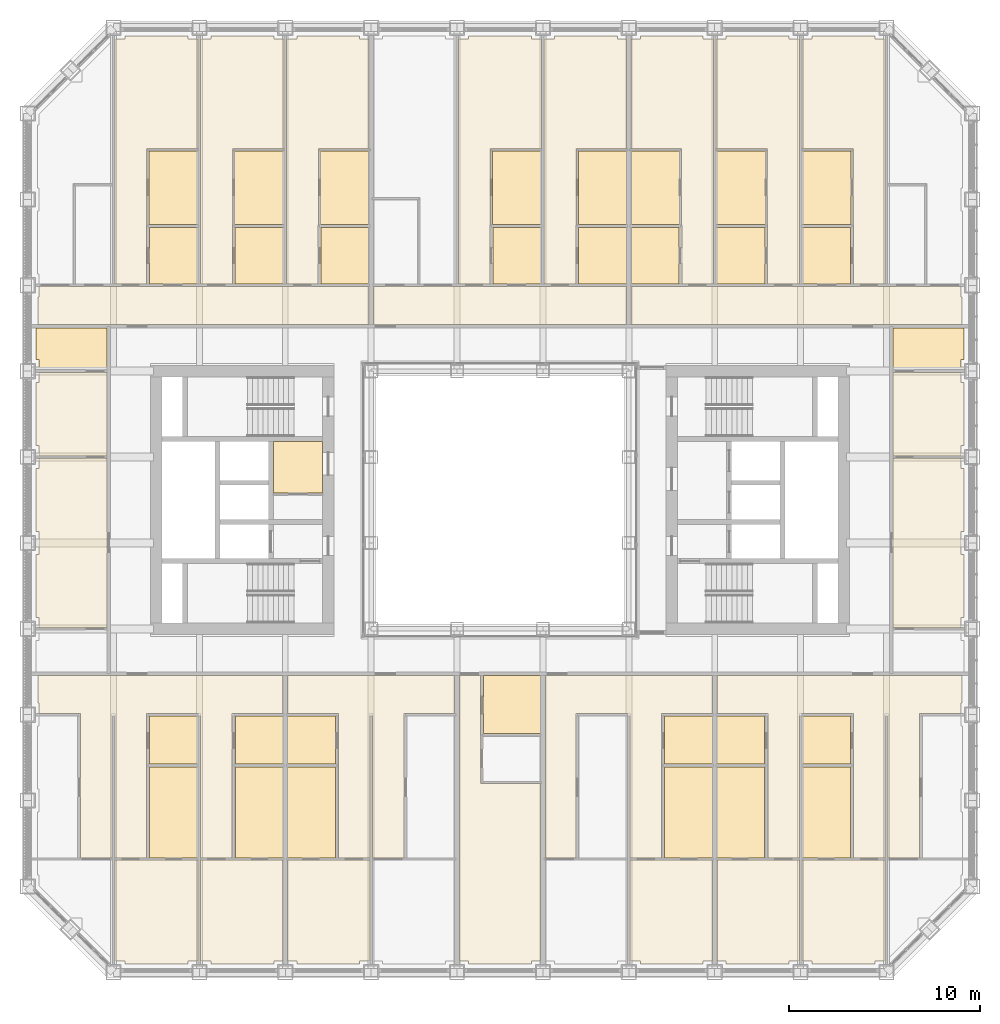
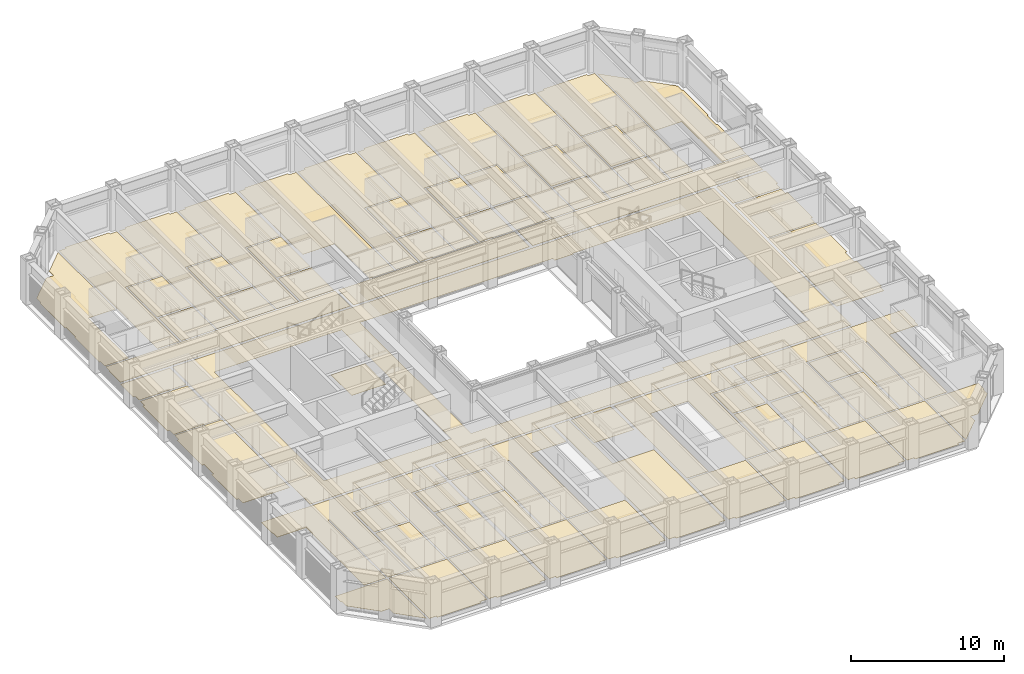
# One storey, part 19 of 21: 3 coverings.
"""IFC4 building model written with IfcOpenShell, lengths in metres."""

from ifc_helpers import new_model, si_unit, direction, frame, origin, place, context, subcontext, project, spatial, line, indexed_curve, outline, extrude, material, layer, layer_set, type_object, element, save


model = new_model("IFC4")

# Units and contexts
model_context = context("Model", 3, precision=1e-05, world=origin(), true_north=direction((0.0, 1.0)))
body_context = subcontext(model_context, "Body", "Model", "MODEL_VIEW")
ifc_project = project(units=[si_unit("LENGTHUNIT", "METRE"), si_unit("AREAUNIT", "SQUARE_METRE"), si_unit("VOLUMEUNIT", "CUBIC_METRE"), si_unit("PLANEANGLEUNIT", "RADIAN"), si_unit("MASSUNIT", "GRAM", prefix="KILO")], contexts=[model_context])

# Site, building, storey
site_placement = place(None, origin())
site = spatial("IfcSite", under=ifc_project, at=site_placement, CompositionType="ELEMENT")
building_placement = place(site_placement, origin())
building = spatial("IfcBuilding", under=site, at=building_placement, Name="Msasa Ring Tower", CompositionType="ELEMENT")
storey_placement = place(building_placement, frame((0.0, 0.0, 72.0)))
storey = spatial("IfcBuildingStorey", under=building, at=storey_placement, Name="L18", CompositionType="ELEMENT", Elevation=72.0)

# Coverings
ifc_material_1 = material(Name="Wool-blend carpet on felt underlay", Category="textile")
ifc_layer_1 = layer(ifc_material_1, 0.011962890625)
ifc_layer_set_1 = layer_set([ifc_layer_1], Name="F2 CARPET ON UNDERLAY 12")
covering_type_1 = type_object("IfcCoveringType", Name="F2 CARPET ON UNDERLAY 12", PredefinedType="FLOORING", material=ifc_layer_set_1)
covering_1_placement = place(storey_placement, origin())
element("IfcCovering", 1, at=covering_1_placement, inside=storey, type_object=covering_type_1, Name="Carpet On Underlay 12 L18", PredefinedType="FLOORING", context=body_context, shape_type="SweptSolid", body=[
    extrude(outline(indexed_curve([(-20.318115234375, -24.044921875), (-21.8994140625, -22.46337890625), (-21.8994140625, -21.8994140625), (-22.46337890625, -21.8994140625), (-24.1494140625, -20.21337890625), (-24.1494140625, -19.6494140625), (-24.23193359375, -19.6494140625), (-24.23193359375, -18.87548828125), (-20.318115234375, -18.87548828125)], segments=[line(1, 2, 3, 4, 5, 6, 7, 8, 9, 1)], self_intersect=False)), origin(), (0.0, 0.0, 1.0), 0.011962890625),
    extrude(outline(indexed_curve([(-22.46337890625, 21.8994140625), (-21.8994140625, 21.8994140625), (-21.8994140625, 22.46337890625), (-20.318115234375, 24.044921875), (-20.318115234375, 16.56298828125), (-22.3505859375, 16.56298828125), (-22.3505859375, 11.31298828125), (-24.1494140625, 11.31298828125), (-24.1494140625, 11.8505859375), (-24.23193359375, 11.8505859375), (-24.23193359375, 15.1494140625), (-24.1494140625, 15.1494140625), (-24.1494140625, 16.3505859375), (-24.23193359375, 16.3505859375), (-24.23193359375, 19.6494140625), (-24.1494140625, 19.6494140625), (-24.1494140625, 20.21337890625)], segments=[line(1, 2, 3, 4, 5, 6, 7, 8, 9, 10, 11, 12, 13, 14, 15, 16, 17, 1)], self_intersect=False)), origin(), (0.0, 0.0, 1.0), 0.011962890625),
    extrude(outline(indexed_curve([(-20.3994140625, -8.99951171875), (-20.3994140625, 8.99951171875), (20.3994140625, 8.99951171875), (20.3994140625, -8.99951171875)], segments=[line(1, 2, 3, 4, 1)], self_intersect=False), holes=[indexed_curve([(8.699462890625, -7.150390625), (18.300537109375, -7.150390625), (18.300537109375, 7.150390625), (8.699462890625, 7.150390625), (8.699462890625, 7.050537109375), (7.280029296875, 7.050537109375), (7.275390625, 7.275390625), (7.22998046875, 7.280029296875), (-7.275390625, 7.275390625), (-7.275390625, -7.275390625), (7.22998046875, -7.280029296875), (7.275390625, -7.275390625), (7.280029296875, -7.050537109375), (8.699462890625, -7.050537109375)], segments=[line(1, 2, 3, 4, 5, 6, 7, 8, 9, 10, 11, 12, 13, 14, 1)], self_intersect=False), indexed_curve([(-18.300537109375, 7.150390625), (-18.300537109375, -7.150390625), (-8.699462890625, -7.150390625), (-8.699462890625, 7.150390625)], segments=[line(1, 2, 3, 4, 1)], self_intersect=False)]), origin(), (0.0, 0.0, 1.0), 0.011962890625),
    extrude(outline(indexed_curve([(-18.3994140625, 14.430419921875), (-18.3994140625, 18.294921875), (-15.81298828125, 18.294921875), (-15.81298828125, 14.430419921875)], segments=[line(1, 2, 3, 4, 1)], self_intersect=False)), origin(), (0.0, 0.0, 1.0), 0.011962890625),
    extrude(outline(indexed_curve([(-15.818115234375, -13.992919921875), (-15.818115234375, -18.74951171875), (-18.369384765625, -18.74951171875), (-18.369384765625, -13.992919921875)], segments=[line(1, 2, 3, 4, 1)], self_intersect=False)), origin(), (0.0, 0.0, 1.0), 0.011962890625),
    extrude(outline(indexed_curve([(-11.31298828125, 18.297607421875), (-11.31298828125, 14.430419921875), (-13.8994140625, 14.430419921875), (-13.8994140625, 18.297607421875)], segments=[line(1, 2, 3, 4, 1)], self_intersect=False)), origin(), (0.0, 0.0, 1.0), 0.011962890625),
    extrude(outline(indexed_curve([(-13.869384765625, -13.992919921875), (-11.37548828125, -13.992919921875), (-11.37548828125, -18.74951171875), (-13.869384765625, -18.74951171875)], segments=[line(1, 2, 3, 4, 1)], self_intersect=False)), origin(), (0.0, 0.0, 1.0), 0.011962890625),
    extrude(outline(indexed_curve([(-9.300537109375, 0.35546875), (-11.87451171875, 0.35546875), (-11.87451171875, 3.074462890625), (-9.300537109375, 3.074462890625)], segments=[line(1, 2, 3, 4, 1)], self_intersect=False)), origin(), (0.0, 0.0, 1.0), 0.011962890625),
    extrude(outline(indexed_curve([(-8.630615234375, -18.74951171875), (-11.12451171875, -18.74951171875), (-11.12451171875, -13.992919921875), (-8.630615234375, -13.992919921875)], segments=[line(1, 2, 3, 4, 1)], self_intersect=False)), origin(), (0.0, 0.0, 1.0), 0.011962890625),
    extrude(outline(indexed_curve([(-9.3994140625, 14.430419921875), (-9.3994140625, 18.297607421875), (-6.87548828125, 18.297607421875), (-6.87548828125, 14.430419921875)], segments=[line(1, 2, 3, 4, 1)], self_intersect=False)), origin(), (0.0, 0.0, 1.0), 0.011962890625),
    extrude(outline(indexed_curve([(-6.1494140625, -24.299560546875), (-6.1494140625, -24.1494140625), (-6.681884765625, -24.1494140625), (-6.681884765625, -18.87548828125), (-2.37548828125, -18.87548828125), (-2.37548828125, -24.1494140625), (-2.8505859375, -24.1494140625), (-2.8505859375, -24.299560546875)], segments=[line(1, 2, 3, 4, 5, 6, 7, 8, 1)], self_intersect=False)), origin(), (0.0, 0.0, 1.0), 0.011962890625),
    extrude(outline(indexed_curve([(-2.318115234375, 11.31298828125), (-4.199462890625, 11.31298828125), (-4.199462890625, 15.843017578125), (-6.62451171875, 15.843017578125), (-6.62451171875, 24.1494140625), (-6.1494140625, 24.1494140625), (-6.1494140625, 24.299560546875), (-2.8505859375, 24.299560546875), (-2.8505859375, 24.1494140625), (-2.318115234375, 24.1494140625)], segments=[line(1, 2, 3, 4, 5, 6, 7, 8, 9, 10, 1)], self_intersect=False)), origin(), (0.0, 0.0, 1.0), 0.011962890625),
    extrude(outline(indexed_curve([(-0.3994140625, 14.430419921875), (-0.3994140625, 18.297607421875), (2.18701171875, 18.297607421875), (2.18701171875, 14.430419921875)], segments=[line(1, 2, 3, 4, 1)], self_intersect=False)), origin(), (0.0, 0.0, 1.0), 0.011962890625),
    extrude(outline(indexed_curve([(2.8505859375, -24.299560546875), (2.8505859375, -24.1494140625), (2.37548828125, -24.1494140625), (2.37548828125, -18.87548828125), (6.681884765625, -18.87548828125), (6.681884765625, -24.1494140625), (6.1494140625, -24.1494140625), (6.1494140625, -24.299560546875)], segments=[line(1, 2, 3, 4, 5, 6, 7, 8, 1)], self_intersect=False)), origin(), (0.0, 0.0, 1.0), 0.011962890625),
    extrude(outline(indexed_curve([(4.1005859375, 14.430419921875), (4.1005859375, 18.297607421875), (6.62451171875, 18.297607421875), (6.62451171875, 14.430419921875)], segments=[line(1, 2, 3, 4, 1)], self_intersect=False)), origin(), (0.0, 0.0, 1.0), 0.011962890625),
    extrude(outline(indexed_curve([(9.3994140625, 18.297607421875), (9.3994140625, 14.430419921875), (6.87548828125, 14.430419921875), (6.87548828125, 18.297607421875)], segments=[line(1, 2, 3, 4, 1)], self_intersect=False)), origin(), (0.0, 0.0, 1.0), 0.011962890625),
    extrude(outline(indexed_curve([(11.12451171875, -13.992919921875), (11.12451171875, -18.74951171875), (8.630615234375, -18.74951171875), (8.630615234375, -13.992919921875)], segments=[line(1, 2, 3, 4, 1)], self_intersect=False)), origin(), (0.0, 0.0, 1.0), 0.011962890625),
    extrude(outline(indexed_curve([(13.8994140625, 14.430419921875), (11.31298828125, 14.430419921875), (11.31298828125, 18.297607421875), (13.8994140625, 18.297607421875)], segments=[line(1, 2, 3, 4, 1)], self_intersect=False)), origin(), (0.0, 0.0, 1.0), 0.011962890625),
    extrude(outline(indexed_curve([(13.869384765625, -18.74951171875), (11.37548828125, -18.74951171875), (11.37548828125, -13.992919921875), (13.869384765625, -13.992919921875)], segments=[line(1, 2, 3, 4, 1)], self_intersect=False)), origin(), (0.0, 0.0, 1.0), 0.011962890625),
    extrude(outline(indexed_curve([(18.3994140625, 18.294921875), (18.3994140625, 14.430419921875), (15.81298828125, 14.430419921875), (15.81298828125, 18.294921875)], segments=[line(1, 2, 3, 4, 1)], self_intersect=False)), origin(), (0.0, 0.0, 1.0), 0.011962890625),
    extrude(outline(indexed_curve([(18.369384765625, -18.74951171875), (15.818115234375, -18.74951171875), (15.818115234375, -13.992919921875), (18.369384765625, -13.992919921875)], segments=[line(1, 2, 3, 4, 1)], self_intersect=False)), origin(), (0.0, 0.0, 1.0), 0.011962890625),
    extrude(outline(indexed_curve([(22.46337890625, -21.8994140625), (21.8994140625, -21.8994140625), (21.8994140625, -22.46337890625), (20.318115234375, -24.044921875), (20.318115234375, -18.87548828125), (24.23193359375, -18.87548828125), (24.23193359375, -19.6494140625), (24.1494140625, -19.6494140625), (24.1494140625, -20.21337890625)], segments=[line(1, 2, 3, 4, 5, 6, 7, 8, 9, 1)], self_intersect=False)), origin(), (0.0, 0.0, 1.0), 0.011962890625),
    extrude(outline(indexed_curve([(22.3505859375, 11.31298828125), (22.3505859375, 16.56298828125), (20.318115234375, 16.56298828125), (20.318115234375, 24.044921875), (21.8994140625, 22.46337890625), (21.8994140625, 21.8994140625), (22.46337890625, 21.8994140625), (24.1494140625, 20.21337890625), (24.1494140625, 19.6494140625), (24.23193359375, 19.6494140625), (24.23193359375, 16.3505859375), (24.1494140625, 16.3505859375), (24.1494140625, 15.1494140625), (24.23193359375, 15.1494140625), (24.23193359375, 11.8505859375), (24.1494140625, 11.8505859375), (24.1494140625, 11.31298828125)], segments=[line(1, 2, 3, 4, 5, 6, 7, 8, 9, 10, 11, 12, 13, 14, 15, 16, 17, 1)], self_intersect=False)), origin(), (0.0, 0.0, 1.0), 0.011962890625),
])
ifc_material_2 = material(Name="Engineered oak boards on an acoustic underlay", Category="wood")
ifc_layer_2 = layer(ifc_material_2, 0.01806640625)
ifc_layer_set_2 = layer_set([ifc_layer_2], Name="F3 ENGINEERED TIMBER ON ACOUSTIC UNDERLAY 18")
covering_type_2 = type_object("IfcCoveringType", Name="F3 ENGINEERED TIMBER ON ACOUSTIC UNDERLAY 18", PredefinedType="FLOORING", material=ifc_layer_set_2)
covering_2_placement = place(storey_placement, origin())
element("IfcCovering", 2, at=covering_2_placement, inside=storey, type_object=covering_type_2, Name="Engineered Timber On Acoustic Underlay 18 L18", PredefinedType="FLOORING", context=body_context, shape_type="SweptSolid", body=[
    extrude(outline(indexed_curve([(-24.1494140625, -6.694580078125), (-24.1494140625, -6.1494140625), (-24.299560546875, -6.1494140625), (-24.299560546875, -2.8505859375), (-24.1494140625, -2.8505859375), (-24.1494140625, -1.6494140625), (-24.299560546875, -1.6494140625), (-24.299560546875, 1.6494140625), (-24.1494140625, 1.6494140625), (-24.1494140625, 2.194580078125), (-20.6005859375, 2.194580078125), (-20.6005859375, -6.694580078125)], segments=[line(1, 2, 3, 4, 5, 6, 7, 8, 9, 10, 11, 12, 1)], self_intersect=False)), origin(), (0.0, 0.0, 1.0), 0.01806640625),
    extrude(outline(indexed_curve([(-24.299560546875, 6.1494140625), (-24.1494140625, 6.1494140625), (-24.1494140625, 6.66943359375), (-20.6005859375, 6.66943359375), (-20.6005859375, 2.305419921875), (-24.1494140625, 2.305419921875), (-24.1494140625, 2.8505859375), (-24.299560546875, 2.8505859375)], segments=[line(1, 2, 3, 4, 5, 6, 7, 8, 1)], self_intersect=False)), origin(), (0.0, 0.0, 1.0), 0.01806640625),
    extrude(outline(indexed_curve([(-20.181884765625, -11.18701171875), (-20.318115234375, -11.18701171875), (-20.318115234375, -18.74951171875), (-21.969482421875, -18.74951171875), (-21.969482421875, -11.18701171875), (-24.1494140625, -11.18701171875), (-24.1494140625, -10.6494140625), (-24.199462890625, -10.6494140625), (-24.199462890625, -9.200439453125), (-11.37548828125, -9.200439453125), (-11.37548828125, -11.18701171875), (-14.030517578125, -11.18701171875), (-14.030517578125, -18.74951171875), (-15.681884765625, -18.74951171875), (-15.681884765625, -11.18701171875), (-18.530517578125, -11.18701171875), (-18.530517578125, -18.74951171875), (-20.181884765625, -18.74951171875)], segments=[line(1, 2, 3, 4, 5, 6, 7, 8, 9, 10, 11, 12, 13, 14, 15, 16, 17, 18, 1)], self_intersect=False)), origin(), (0.0, 0.0, 1.0), 0.01806640625),
    extrude(outline(indexed_curve([(-24.199462890625, 9.200439453125), (-24.199462890625, 10.6494140625), (-24.1494140625, 10.6494140625), (-24.1494140625, 11.18701171875), (-6.87548828125, 11.18701171875), (-6.87548828125, 9.200439453125)], segments=[line(1, 2, 3, 4, 5, 6, 1)], self_intersect=False)), origin(), (0.0, 0.0, 1.0), 0.01806640625),
    extrude(outline(indexed_curve([(-15.818115234375, -24.1494140625), (-16.3505859375, -24.1494140625), (-16.3505859375, -24.299560546875), (-19.6494140625, -24.299560546875), (-19.6494140625, -24.1494140625), (-20.181884765625, -24.1494140625), (-20.181884765625, -18.87548828125), (-15.818115234375, -18.87548828125)], segments=[line(1, 2, 3, 4, 5, 6, 7, 8, 1)], self_intersect=False)), origin(), (0.0, 0.0, 1.0), 0.01806640625),
    extrude(outline(indexed_curve([(-20.181884765625, 24.1494140625), (-19.6494140625, 24.1494140625), (-19.6494140625, 24.299560546875), (-16.3505859375, 24.299560546875), (-16.3505859375, 24.1494140625), (-15.818115234375, 24.1494140625), (-15.818115234375, 18.40087890625), (-18.50048828125, 18.40087890625), (-18.50048828125, 14.39990234375), (-18.525390625, 14.39990234375), (-18.525390625, 11.31298828125), (-20.181884765625, 11.31298828125)], segments=[line(1, 2, 3, 4, 5, 6, 7, 8, 9, 10, 11, 12, 1)], self_intersect=False)), origin(), (0.0, 0.0, 1.0), 0.01806640625),
    extrude(outline(indexed_curve([(-15.1494140625, -24.299560546875), (-15.1494140625, -24.1494140625), (-15.681884765625, -24.1494140625), (-15.681884765625, -18.87548828125), (-11.37548828125, -18.87548828125), (-11.37548828125, -24.1494140625), (-11.8505859375, -24.1494140625), (-11.8505859375, -24.299560546875)], segments=[line(1, 2, 3, 4, 5, 6, 7, 8, 1)], self_intersect=False)), origin(), (0.0, 0.0, 1.0), 0.01806640625),
    extrude(outline(indexed_curve([(-11.8505859375, 24.299560546875), (-11.8505859375, 24.1494140625), (-11.318115234375, 24.1494140625), (-11.318115234375, 18.403564453125), (-14.00048828125, 18.403564453125), (-14.00048828125, 14.39990234375), (-14.025390625, 14.39990234375), (-14.025390625, 11.31298828125), (-15.681884765625, 11.31298828125), (-15.681884765625, 24.1494140625), (-15.1494140625, 24.1494140625), (-15.1494140625, 24.299560546875)], segments=[line(1, 2, 3, 4, 5, 6, 7, 8, 9, 10, 11, 12, 1)], self_intersect=False)), origin(), (0.0, 0.0, 1.0), 0.01806640625),
    extrude(outline(indexed_curve([(-7.3505859375, 24.299560546875), (-7.3505859375, 24.1494140625), (-6.87548828125, 24.1494140625), (-6.87548828125, 18.403564453125), (-9.50048828125, 18.403564453125), (-9.50048828125, 14.39990234375), (-9.525390625, 14.39990234375), (-9.525390625, 11.31298828125), (-11.181884765625, 11.31298828125), (-11.181884765625, 24.1494140625), (-10.6494140625, 24.1494140625), (-10.6494140625, 24.299560546875)], segments=[line(1, 2, 3, 4, 5, 6, 7, 8, 9, 10, 11, 12, 1)], self_intersect=False)), origin(), (0.0, 0.0, 1.0), 0.01806640625),
    extrude(outline(indexed_curve([(-10.6494140625, -24.299560546875), (-10.6494140625, -24.1494140625), (-11.12451171875, -24.1494140625), (-11.12451171875, -18.87548828125), (-6.818115234375, -18.87548828125), (-6.818115234375, -24.1494140625), (-7.3505859375, -24.1494140625), (-7.3505859375, -24.299560546875)], segments=[line(1, 2, 3, 4, 5, 6, 7, 8, 1)], self_intersect=False)), origin(), (0.0, 0.0, 1.0), 0.01806640625),
    extrude(outline(indexed_curve([(-6.818115234375, -18.74951171875), (-8.469482421875, -18.74951171875), (-8.469482421875, -11.18701171875), (-11.12451171875, -11.18701171875), (-11.12451171875, -9.200439453125), (-2.37548828125, -9.200439453125), (-2.37548828125, -11.18701171875), (-5.030517578125, -11.18701171875), (-5.030517578125, -18.74951171875), (-6.681884765625, -18.74951171875), (-6.681884765625, -11.18701171875), (-6.818115234375, -11.18701171875)], segments=[line(1, 2, 3, 4, 5, 6, 7, 8, 9, 10, 11, 12, 1)], self_intersect=False)), origin(), (0.0, 0.0, 1.0), 0.01806640625),
    extrude(outline(indexed_curve([(-6.62451171875, 9.200439453125), (-6.62451171875, 11.18701171875), (6.62451171875, 11.18701171875), (6.62451171875, 9.200439453125)], segments=[line(1, 2, 3, 4, 1)], self_intersect=False)), origin(), (0.0, 0.0, 1.0), 0.01806640625),
    extrude(outline(indexed_curve([(1.6494140625, 24.299560546875), (1.6494140625, 24.1494140625), (2.181884765625, 24.1494140625), (2.181884765625, 18.403564453125), (-0.50048828125, 18.403564453125), (-0.50048828125, 14.39990234375), (-0.525390625, 14.39990234375), (-0.525390625, 11.31298828125), (-2.181884765625, 11.31298828125), (-2.181884765625, 24.1494140625), (-1.6494140625, 24.1494140625), (-1.6494140625, 24.299560546875)], segments=[line(1, 2, 3, 4, 5, 6, 7, 8, 9, 10, 11, 12, 1)], self_intersect=False)), origin(), (0.0, 0.0, 1.0), 0.01806640625),
    extrude(outline(indexed_curve([(-1.025390625, -9.200439453125), (-1.025390625, -12.35009765625), (-1.00048828125, -12.35009765625), (-1.00048828125, -14.8505859375), (2.12451171875, -14.8505859375), (2.12451171875, -24.1494140625), (1.6494140625, -24.1494140625), (1.6494140625, -24.299560546875), (-1.6494140625, -24.299560546875), (-1.6494140625, -24.1494140625), (-2.12451171875, -24.1494140625), (-2.12451171875, -9.200439453125)], segments=[line(1, 2, 3, 4, 5, 6, 7, 8, 9, 10, 11, 12, 1)], self_intersect=False)), origin(), (0.0, 0.0, 1.0), 0.01806640625),
    extrude(outline(indexed_curve([(6.1494140625, 24.299560546875), (6.1494140625, 24.1494140625), (6.62451171875, 24.1494140625), (6.62451171875, 18.403564453125), (3.99951171875, 18.403564453125), (3.99951171875, 14.39990234375), (3.974609375, 14.39990234375), (3.974609375, 11.31298828125), (2.318115234375, 11.31298828125), (2.318115234375, 24.1494140625), (2.8505859375, 24.1494140625), (2.8505859375, 24.299560546875)], segments=[line(1, 2, 3, 4, 5, 6, 7, 8, 9, 10, 11, 12, 1)], self_intersect=False)), origin(), (0.0, 0.0, 1.0), 0.01806640625),
    extrude(outline(indexed_curve([(3.969482421875, -18.74951171875), (2.37548828125, -18.74951171875), (2.37548828125, -9.200439453125), (11.12451171875, -9.200439453125), (11.12451171875, -11.18701171875), (8.469482421875, -11.18701171875), (8.469482421875, -18.74951171875), (6.818115234375, -18.74951171875), (6.818115234375, -11.18701171875), (3.969482421875, -11.18701171875)], segments=[line(1, 2, 3, 4, 5, 6, 7, 8, 9, 10, 1)], self_intersect=False)), origin(), (0.0, 0.0, 1.0), 0.01806640625),
    extrude(outline(indexed_curve([(7.3505859375, -24.299560546875), (7.3505859375, -24.1494140625), (6.818115234375, -24.1494140625), (6.818115234375, -18.87548828125), (11.12451171875, -18.87548828125), (11.12451171875, -24.1494140625), (10.6494140625, -24.1494140625), (10.6494140625, -24.299560546875)], segments=[line(1, 2, 3, 4, 5, 6, 7, 8, 1)], self_intersect=False)), origin(), (0.0, 0.0, 1.0), 0.01806640625),
    extrude(outline(indexed_curve([(24.199462890625, 9.200439453125), (6.87548828125, 9.200439453125), (6.87548828125, 11.18701171875), (24.1494140625, 11.18701171875), (24.1494140625, 10.6494140625), (24.199462890625, 10.6494140625)], segments=[line(1, 2, 3, 4, 5, 6, 1)], self_intersect=False)), origin(), (0.0, 0.0, 1.0), 0.01806640625),
    extrude(outline(indexed_curve([(9.525390625, 11.31298828125), (9.525390625, 14.39990234375), (9.50048828125, 14.39990234375), (9.50048828125, 18.403564453125), (6.87548828125, 18.403564453125), (6.87548828125, 24.1494140625), (7.3505859375, 24.1494140625), (7.3505859375, 24.299560546875), (10.6494140625, 24.299560546875), (10.6494140625, 24.1494140625), (11.181884765625, 24.1494140625), (11.181884765625, 11.31298828125)], segments=[line(1, 2, 3, 4, 5, 6, 7, 8, 9, 10, 11, 12, 1)], self_intersect=False)), origin(), (0.0, 0.0, 1.0), 0.01806640625),
    extrude(outline(indexed_curve([(14.025390625, 11.31298828125), (14.025390625, 14.39990234375), (14.00048828125, 14.39990234375), (14.00048828125, 18.403564453125), (11.318115234375, 18.403564453125), (11.318115234375, 24.1494140625), (11.8505859375, 24.1494140625), (11.8505859375, 24.299560546875), (15.1494140625, 24.299560546875), (15.1494140625, 24.1494140625), (15.681884765625, 24.1494140625), (15.681884765625, 11.31298828125)], segments=[line(1, 2, 3, 4, 5, 6, 7, 8, 9, 10, 11, 12, 1)], self_intersect=False)), origin(), (0.0, 0.0, 1.0), 0.01806640625),
    extrude(outline(indexed_curve([(11.8505859375, -24.299560546875), (11.8505859375, -24.1494140625), (11.37548828125, -24.1494140625), (11.37548828125, -18.87548828125), (15.681884765625, -18.87548828125), (15.681884765625, -24.1494140625), (15.1494140625, -24.1494140625), (15.1494140625, -24.299560546875)], segments=[line(1, 2, 3, 4, 5, 6, 7, 8, 1)], self_intersect=False)), origin(), (0.0, 0.0, 1.0), 0.01806640625),
    extrude(outline(indexed_curve([(18.530517578125, -11.18701171875), (15.681884765625, -11.18701171875), (15.681884765625, -18.74951171875), (14.030517578125, -18.74951171875), (14.030517578125, -11.18701171875), (11.37548828125, -11.18701171875), (11.37548828125, -9.200439453125), (24.199462890625, -9.200439453125), (24.199462890625, -10.6494140625), (24.1494140625, -10.6494140625), (24.1494140625, -11.18701171875), (21.969482421875, -11.18701171875), (21.969482421875, -18.74951171875), (20.318115234375, -18.74951171875), (20.318115234375, -11.18701171875), (20.181884765625, -11.18701171875), (20.181884765625, -18.74951171875), (18.530517578125, -18.74951171875)], segments=[line(1, 2, 3, 4, 5, 6, 7, 8, 9, 10, 11, 12, 13, 14, 15, 16, 17, 18, 1)], self_intersect=False)), origin(), (0.0, 0.0, 1.0), 0.01806640625),
    extrude(outline(indexed_curve([(20.181884765625, -24.1494140625), (19.6494140625, -24.1494140625), (19.6494140625, -24.299560546875), (16.3505859375, -24.299560546875), (16.3505859375, -24.1494140625), (15.818115234375, -24.1494140625), (15.818115234375, -18.87548828125), (20.181884765625, -18.87548828125)], segments=[line(1, 2, 3, 4, 5, 6, 7, 8, 1)], self_intersect=False)), origin(), (0.0, 0.0, 1.0), 0.01806640625),
    extrude(outline(indexed_curve([(20.181884765625, 11.31298828125), (18.525390625, 11.31298828125), (18.525390625, 14.39990234375), (18.50048828125, 14.39990234375), (18.50048828125, 18.40087890625), (15.818115234375, 18.40087890625), (15.818115234375, 24.1494140625), (16.3505859375, 24.1494140625), (16.3505859375, 24.299560546875), (19.6494140625, 24.299560546875), (19.6494140625, 24.1494140625), (20.181884765625, 24.1494140625)], segments=[line(1, 2, 3, 4, 5, 6, 7, 8, 9, 10, 11, 12, 1)], self_intersect=False)), origin(), (0.0, 0.0, 1.0), 0.01806640625),
    extrude(outline(indexed_curve([(24.1494140625, 2.194580078125), (24.1494140625, 1.6494140625), (24.299560546875, 1.6494140625), (24.299560546875, -1.6494140625), (24.1494140625, -1.6494140625), (24.1494140625, -2.8505859375), (24.299560546875, -2.8505859375), (24.299560546875, -6.1494140625), (24.1494140625, -6.1494140625), (24.1494140625, -6.694580078125), (20.6005859375, -6.694580078125), (20.6005859375, 2.194580078125)], segments=[line(1, 2, 3, 4, 5, 6, 7, 8, 9, 10, 11, 12, 1)], self_intersect=False)), origin(), (0.0, 0.0, 1.0), 0.01806640625),
    extrude(outline(indexed_curve([(20.6005859375, 6.66943359375), (24.1494140625, 6.66943359375), (24.1494140625, 6.1494140625), (24.299560546875, 6.1494140625), (24.299560546875, 2.8505859375), (24.1494140625, 2.8505859375), (24.1494140625, 2.305419921875), (20.6005859375, 2.305419921875)], segments=[line(1, 2, 3, 4, 5, 6, 7, 8, 1)], self_intersect=False)), origin(), (0.0, 0.0, 1.0), 0.01806640625),
])
ifc_material_3 = material(Name="Porcelain floor tiles in adhesive", Category="ceramic")
ifc_layer_3 = layer(ifc_material_3, 0.010009765625)
ifc_layer_set_3 = layer_set([ifc_layer_3], Name="F4 PORCELAIN TILE ON ADHESIVE 10")
covering_type_3 = type_object("IfcCoveringType", Name="F4 PORCELAIN TILE ON ADHESIVE 10", PredefinedType="FLOORING", material=ifc_layer_set_3)
covering_3_placement = place(storey_placement, origin())
element("IfcCovering", 3, at=covering_3_placement, inside=storey, type_object=covering_type_3, Name="Porcelain Tile On Adhesive 10 L18", PredefinedType="FLOORING", context=body_context, shape_type="SweptSolid", body=[
    extrude(outline(indexed_curve([(-24.1494140625, 6.83056640625), (-24.1494140625, 7.3505859375), (-24.299560546875, 7.3505859375), (-24.299560546875, 8.99951171875), (-20.6005859375, 8.99951171875), (-20.6005859375, 6.83056640625)], segments=[line(1, 2, 3, 4, 5, 6, 1)], self_intersect=False)), origin(), (0.0, 0.0, 1.0), 0.010009765625),
    extrude(outline(indexed_curve([(-18.37451171875, 11.31298828125), (-18.37451171875, 14.2744140625), (-15.81298828125, 14.2744140625), (-15.81298828125, 11.31298828125)], segments=[line(1, 2, 3, 4, 1)], self_intersect=False)), origin(), (0.0, 0.0, 1.0), 0.010009765625),
    extrude(outline(indexed_curve([(-15.818115234375, -11.318115234375), (-15.818115234375, -13.83203125), (-18.369384765625, -13.83203125), (-18.369384765625, -11.318115234375)], segments=[line(1, 2, 3, 4, 1)], self_intersect=False)), origin(), (0.0, 0.0, 1.0), 0.010009765625),
    extrude(outline(indexed_curve([(-13.87451171875, 11.31298828125), (-13.87451171875, 14.2744140625), (-11.31298828125, 14.2744140625), (-11.31298828125, 11.31298828125)], segments=[line(1, 2, 3, 4, 1)], self_intersect=False)), origin(), (0.0, 0.0, 1.0), 0.010009765625),
    extrude(outline(indexed_curve([(-11.37548828125, -11.318115234375), (-11.37548828125, -13.83203125), (-13.869384765625, -13.83203125), (-13.869384765625, -11.318115234375)], segments=[line(1, 2, 3, 4, 1)], self_intersect=False)), origin(), (0.0, 0.0, 1.0), 0.010009765625),
    extrude(outline(indexed_curve([(-8.630615234375, -11.318115234375), (-8.630615234375, -13.83203125), (-11.12451171875, -13.83203125), (-11.12451171875, -11.318115234375)], segments=[line(1, 2, 3, 4, 1)], self_intersect=False)), origin(), (0.0, 0.0, 1.0), 0.010009765625),
    extrude(outline(indexed_curve([(-9.37451171875, 11.31298828125), (-9.37451171875, 14.2744140625), (-6.87548828125, 14.2744140625), (-6.87548828125, 11.31298828125)], segments=[line(1, 2, 3, 4, 1)], self_intersect=False)), origin(), (0.0, 0.0, 1.0), 0.010009765625),
    extrude(outline(indexed_curve([(2.12451171875, -9.200439453125), (2.12451171875, -12.224609375), (-0.87451171875, -12.224609375), (-0.87451171875, -9.200439453125)], segments=[line(1, 2, 3, 4, 1)], self_intersect=False)), origin(), (0.0, 0.0, 1.0), 0.010009765625),
    extrude(outline(indexed_curve([(-0.37451171875, 11.31298828125), (-0.37451171875, 14.2744140625), (2.18701171875, 14.2744140625), (2.18701171875, 11.31298828125)], segments=[line(1, 2, 3, 4, 1)], self_intersect=False)), origin(), (0.0, 0.0, 1.0), 0.010009765625),
    extrude(outline(indexed_curve([(4.12548828125, 11.31298828125), (4.12548828125, 14.2744140625), (6.62451171875, 14.2744140625), (6.62451171875, 11.31298828125)], segments=[line(1, 2, 3, 4, 1)], self_intersect=False)), origin(), (0.0, 0.0, 1.0), 0.010009765625),
    extrude(outline(indexed_curve([(6.87548828125, 11.31298828125), (6.87548828125, 14.2744140625), (9.37451171875, 14.2744140625), (9.37451171875, 11.31298828125)], segments=[line(1, 2, 3, 4, 1)], self_intersect=False)), origin(), (0.0, 0.0, 1.0), 0.010009765625),
    extrude(outline(indexed_curve([(11.12451171875, -11.318115234375), (11.12451171875, -13.83203125), (8.630615234375, -13.83203125), (8.630615234375, -11.318115234375)], segments=[line(1, 2, 3, 4, 1)], self_intersect=False)), origin(), (0.0, 0.0, 1.0), 0.010009765625),
    extrude(outline(indexed_curve([(11.31298828125, 11.31298828125), (11.31298828125, 14.2744140625), (13.87451171875, 14.2744140625), (13.87451171875, 11.31298828125)], segments=[line(1, 2, 3, 4, 1)], self_intersect=False)), origin(), (0.0, 0.0, 1.0), 0.010009765625),
    extrude(outline(indexed_curve([(13.869384765625, -11.318115234375), (13.869384765625, -13.83203125), (11.37548828125, -13.83203125), (11.37548828125, -11.318115234375)], segments=[line(1, 2, 3, 4, 1)], self_intersect=False)), origin(), (0.0, 0.0, 1.0), 0.010009765625),
    extrude(outline(indexed_curve([(15.81298828125, 11.31298828125), (15.81298828125, 14.2744140625), (18.37451171875, 14.2744140625), (18.37451171875, 11.31298828125)], segments=[line(1, 2, 3, 4, 1)], self_intersect=False)), origin(), (0.0, 0.0, 1.0), 0.010009765625),
    extrude(outline(indexed_curve([(18.369384765625, -11.318115234375), (18.369384765625, -13.83203125), (15.818115234375, -13.83203125), (15.818115234375, -11.318115234375)], segments=[line(1, 2, 3, 4, 1)], self_intersect=False)), origin(), (0.0, 0.0, 1.0), 0.010009765625),
    extrude(outline(indexed_curve([(20.6005859375, 8.99951171875), (24.299560546875, 8.99951171875), (24.299560546875, 7.3505859375), (24.1494140625, 7.3505859375), (24.1494140625, 6.83056640625), (20.6005859375, 6.83056640625)], segments=[line(1, 2, 3, 4, 5, 6, 1)], self_intersect=False)), origin(), (0.0, 0.0, 1.0), 0.010009765625),
])

save(model, "model.ifc")
